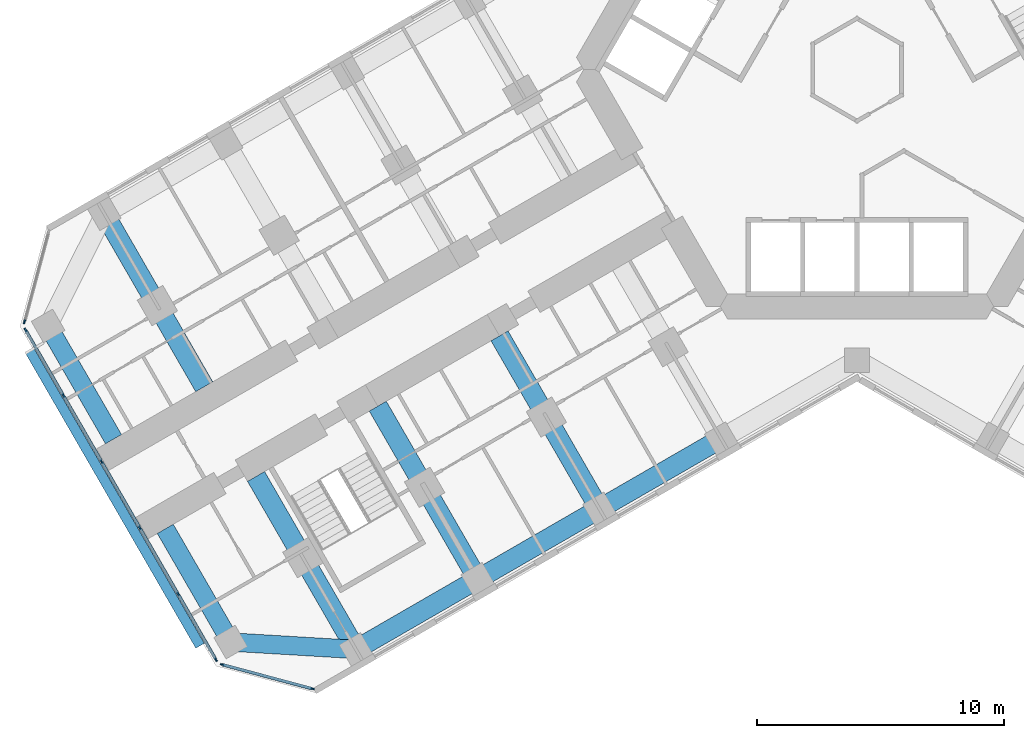
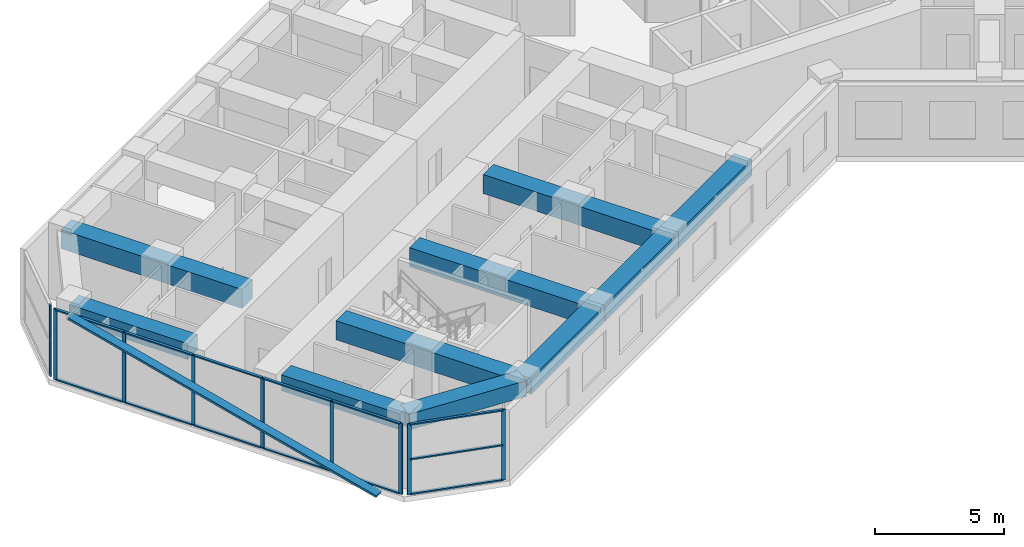
# One storey, part 2 of 21: 23 members, 10 beams, 3 elements without a shape of their own.
"""IFC4 building model written with IfcOpenShell, lengths in metres."""

from ifc_helpers import new_model, si_unit, direction, frame, origin, origin_2d, place, context, subcontext, project, spatial, rectangle, extrude, material, material_profile, profile_set, type_object, element, aggregate, save


model = new_model("IFC4")

# Units and contexts
model_context = context("Model", 3, precision=1e-05, world=origin(), true_north=direction((0.0, 1.0)))
body_context = subcontext(model_context, "Body", "Model", "MODEL_VIEW")
ifc_project = project(units=[si_unit("LENGTHUNIT", "METRE"), si_unit("AREAUNIT", "SQUARE_METRE"), si_unit("VOLUMEUNIT", "CUBIC_METRE"), si_unit("PLANEANGLEUNIT", "RADIAN"), si_unit("MASSUNIT", "GRAM", prefix="KILO")], contexts=[model_context])

# Site, building, storey
site_placement = place(None, origin())
site = spatial("IfcSite", under=ifc_project, at=site_placement, CompositionType="ELEMENT")
building_placement = place(site_placement, origin())
building = spatial("IfcBuilding", under=site, at=building_placement, Name="Kosmar Iwan School Tower", CompositionType="ELEMENT")
storey_placement = place(building_placement, frame((0.0, 0.0, 71.800048828125)))
storey = spatial("IfcBuildingStorey", under=building, at=storey_placement, Name="L17", CompositionType="ELEMENT", Elevation=71.800048828125)

# Member
ifc_material_1 = material(Name="Black anodised aluminium", Category="aluminium")
ifc_material_profile_1 = material_profile(ifc_material_1, rectangle(XDim=0.10009765625, YDim=0.39990234375, at=origin_2d()), Name="FIN 100x400")
ifc_profile_set_1 = profile_set([ifc_material_profile_1], Name="Black anodised aluminium")
member_type_1 = type_object("IfcMemberType", Name="Diagonal fin 100x400", PredefinedType="USERDEFINED", material=ifc_profile_set_1)
member_1_placement = place(storey_placement, frame((-26.645263671875, -23.34912109375, -0.150146484375), z_axis=(-0.483793446988, 0.837970316603, 0.25248692866), x_axis=(0.126241714543, -0.218661104574, 0.96760030532)))
element("IfcMember", 1, at=member_1_placement, inside=storey, type_object=member_type_1, Name="Diagonal fin L17-F13", ObjectType="FIN", PredefinedType="USERDEFINED", context=body_context, shape_type="SweptSolid", body=[
    extrude(rectangle(XDim=0.10009765625, YDim=0.39990234375, at=origin_2d()), origin(), (0.0, 0.0, 1.0), 14.258544921875),
])

# Curtain wall, member
ifc_material_2 = material(Name="Dark glass in black aluminium frame", Category="aluminium")
curtain_wall_type_1 = type_object("IfcCurtainWallType", Name="Chamfer curtain wall dark glass", PredefinedType="USERDEFINED", material=ifc_material_2)
curtain_wall_1_placement = place(storey_placement, origin())
curtain_wall_1 = element("IfcCurtainWall", 2, at=curtain_wall_1_placement, inside=storey, type_object=curtain_wall_type_1, Name="Curtain wall L17-F12", ObjectType="FACETED CURTAIN WALL", PredefinedType="USERDEFINED")
ifc_material_3 = material(Name="Black anodised aluminium", Category="aluminium")
ifc_material_profile_2 = material_profile(ifc_material_3, rectangle(XDim=0.06005859375, YDim=0.159912109375, at=origin_2d()), Name="MULLION 60x160")
ifc_profile_set_2 = profile_set([ifc_material_profile_2], Name="Black anodised aluminium")
member_type_2 = type_object("IfcMemberType", Name="Mullion 60x160", PredefinedType="MULLION", material=ifc_profile_set_2)
member_2_placement = place(storey_placement, frame((-33.7587890625, -10.2236328125, 0.0), z_axis=(0.0, 0.0, 1.0), x_axis=(0.965925875495, -0.258818861462, 0.0)))
member_2 = element("IfcMember", 3, at=member_2_placement, type_object=member_type_2, Name="CW2 mullion 2", PredefinedType="MULLION", context=body_context, shape_type="SweptSolid", body=[
    extrude(rectangle(XDim=0.06005859375, YDim=0.159912109375, at=origin_2d()), origin(), (0.0, 0.0, 1.0), 3.349853515625),
])
aggregate(curtain_wall_1, [member_2])

# Curtain wall, members
ifc_material_4 = material(Name="Dark glass in black aluminium frame", Category="aluminium")
curtain_wall_type_2 = type_object("IfcCurtainWallType", Name="Tower curtain wall dark glass", PredefinedType="USERDEFINED", material=ifc_material_4)
curtain_wall_2_placement = place(storey_placement, origin())
curtain_wall_2 = element("IfcCurtainWall", 4, at=curtain_wall_2_placement, inside=storey, type_object=curtain_wall_type_2, Name="Curtain wall L17-F13", ObjectType="UNITISED CURTAIN WALL", PredefinedType="USERDEFINED")
member_3_placement = place(storey_placement, frame((-33.71533203125, -10.55322265625, 0.0), z_axis=(0.0, 0.0, 1.0), x_axis=(0.866025405329, 0.499999997325, 0.0)))
member_3 = element("IfcMember", 5, at=member_3_placement, type_object=member_type_2, Name="CW1 mullion 1", PredefinedType="MULLION", context=body_context, shape_type="SweptSolid", body=[
    extrude(rectangle(XDim=0.06005859375, YDim=0.159912109375, at=origin_2d()), origin(), (0.0, 0.0, 1.0), 3.349853515625),
])
member_4_placement = place(storey_placement, frame((-32.1806640625, -13.21142578125, 0.0), z_axis=(0.0, 0.0, 1.0), x_axis=(0.866025405329, 0.499999997325, 0.0)))
member_4 = element("IfcMember", 6, at=member_4_placement, type_object=member_type_2, Name="CW1 mullion 2", PredefinedType="MULLION", context=body_context, shape_type="SweptSolid", body=[
    extrude(rectangle(XDim=0.06005859375, YDim=0.159912109375, at=origin_2d()), origin(), (0.0, 0.0, 1.0), 3.349853515625),
])
member_5_placement = place(storey_placement, frame((-30.631103515625, -15.8955078125, 0.0), z_axis=(0.0, 0.0, 1.0), x_axis=(0.866025405329, 0.499999997325, 0.0)))
member_5 = element("IfcMember", 7, at=member_5_placement, type_object=member_type_2, Name="CW1 mullion 3", PredefinedType="MULLION", context=body_context, shape_type="SweptSolid", body=[
    extrude(rectangle(XDim=0.06005859375, YDim=0.159912109375, at=origin_2d()), origin(), (0.0, 0.0, 1.0), 3.349853515625),
])
member_6_placement = place(storey_placement, frame((-29.081298828125, -18.57958984375, 0.0), z_axis=(0.0, 0.0, 1.0), x_axis=(0.866025405329, 0.499999997325, 0.0)))
member_6 = element("IfcMember", 8, at=member_6_placement, type_object=member_type_2, Name="CW1 mullion 4", PredefinedType="MULLION", context=body_context, shape_type="SweptSolid", body=[
    extrude(rectangle(XDim=0.06005859375, YDim=0.159912109375, at=origin_2d()), origin(), (0.0, 0.0, 1.0), 3.349853515625),
])
member_7_placement = place(storey_placement, frame((-27.53173828125, -21.263671875, 0.0), z_axis=(0.0, 0.0, 1.0), x_axis=(0.866025405329, 0.499999997325, 0.0)))
member_7 = element("IfcMember", 9, at=member_7_placement, type_object=member_type_2, Name="CW1 mullion 5", PredefinedType="MULLION", context=body_context, shape_type="SweptSolid", body=[
    extrude(rectangle(XDim=0.06005859375, YDim=0.159912109375, at=origin_2d()), origin(), (0.0, 0.0, 1.0), 3.349853515625),
])
member_8_placement = place(storey_placement, frame((-25.9970703125, -23.921630859375, 0.0), z_axis=(0.0, 0.0, 1.0), x_axis=(0.866025405329, 0.499999997325, 0.0)))
member_8 = element("IfcMember", 10, at=member_8_placement, type_object=member_type_2, Name="CW1 mullion 6", PredefinedType="MULLION", context=body_context, shape_type="SweptSolid", body=[
    extrude(rectangle(XDim=0.06005859375, YDim=0.159912109375, at=origin_2d()), origin(), (0.0, 0.0, 1.0), 3.349853515625),
])

curtain_wall_3_placement = place(storey_placement, origin())
curtain_wall_3 = element("IfcCurtainWall", 11, at=curtain_wall_3_placement, inside=storey, type_object=curtain_wall_type_1, Name="Curtain wall L17-F14", ObjectType="FACETED CURTAIN WALL", PredefinedType="USERDEFINED")
member_9_placement = place(storey_placement, frame((-25.733154296875, -24.124267578125, 0.0), z_axis=(0.0, 0.0, 1.0), x_axis=(0.258818861462, 0.965925875495, 0.0)))
member_9 = element("IfcMember", 12, at=member_9_placement, type_object=member_type_2, Name="CW2 mullion 1", PredefinedType="MULLION", context=body_context, shape_type="SweptSolid", body=[
    extrude(rectangle(XDim=0.06005859375, YDim=0.159912109375, at=origin_2d()), origin(), (0.0, 0.0, 1.0), 3.349853515625),
])
member_10_placement = place(storey_placement, frame((-22.0830078125, -25.102294921875, 0.0), z_axis=(0.0, 0.0, 1.0), x_axis=(0.258818861462, 0.965925875495, 0.0)))
member_10 = element("IfcMember", 13, at=member_10_placement, type_object=member_type_2, Name="CW2 mullion 2", PredefinedType="MULLION", context=body_context, shape_type="SweptSolid", body=[
    extrude(rectangle(XDim=0.06005859375, YDim=0.159912109375, at=origin_2d()), origin(), (0.0, 0.0, 1.0), 3.349853515625),
])

# Beams
ifc_material_5 = material(Name="Concrete C50/60", Category="concrete")
ifc_material_profile_3 = material_profile(ifc_material_5, rectangle(XDim=0.800048828125, YDim=0.75, at=origin_2d()), Name="RC 800x750")
ifc_profile_set_3 = profile_set([ifc_material_profile_3], Name="Concrete C50/60")
beam_type_1 = type_object("IfcBeamType", Name="RC edge beam 800x750", PredefinedType="BEAM", material=ifc_profile_set_3)
beam_1_placement = place(storey_placement, frame((-5.5087890625, -14.95849609375, 2.974853515625), z_axis=(-0.866033658841, -0.49998570155, 0.0), x_axis=(0.49998570155, -0.866033658841, 0.0)))
element("IfcBeam", 14, at=beam_1_placement, inside=storey, type_object=beam_type_1, Name="Edge beam BL2", PredefinedType="BEAM", context=body_context, shape_type="SweptSolid", body=[
    extrude(rectangle(XDim=0.800048828125, YDim=0.75, at=origin_2d()), origin(), (0.0, 0.0, 1.0), 5.699951171875),
])
beam_2_placement = place(storey_placement, frame((-10.445068359375, -17.808349609375, 2.974853515625), z_axis=(-0.866025820012, -0.499999279071, 0.0), x_axis=(0.499999279071, -0.866025820012, 0.0)))
element("IfcBeam", 15, at=beam_2_placement, inside=storey, type_object=beam_type_1, Name="Edge beam BL3", PredefinedType="BEAM", context=body_context, shape_type="SweptSolid", body=[
    extrude(rectangle(XDim=0.800048828125, YDim=0.75, at=origin_2d()), origin(), (0.0, 0.0, 1.0), 5.7001953125),
])
beam_3_placement = place(storey_placement, frame((-15.381591796875, -20.658447265625, 2.974853515625), z_axis=(-0.866015111908, -0.50001782563, 0.0), x_axis=(0.50001782563, -0.866015111908, 0.0)))
element("IfcBeam", 16, at=beam_3_placement, inside=storey, type_object=beam_type_1, Name="Edge beam BL4", PredefinedType="BEAM", context=body_context, shape_type="SweptSolid", body=[
    extrude(rectangle(XDim=0.800048828125, YDim=0.75, at=origin_2d()), origin(), (0.0, 0.0, 1.0), 5.699951171875),
])
ifc_material_6 = material(Name="Concrete C50/60", Category="concrete")
ifc_material_profile_4 = material_profile(ifc_material_6, rectangle(XDim=0.75, YDim=0.75, at=origin_2d()), Name="RC 750x750")
ifc_profile_set_4 = profile_set([ifc_material_profile_4], Name="Concrete C50/60")
beam_type_2 = type_object("IfcBeamType", Name="RC tip beam 750x750", PredefinedType="BEAM", material=ifc_profile_set_4)
beam_4_placement = place(storey_placement, frame((-20.31787109375, -23.508544921875, 2.974853515625), z_axis=(-0.998260616478, 0.058955420358, 0.0), x_axis=(-0.058955420358, -0.998260616478, 0.0)))
element("IfcBeam", 17, at=beam_4_placement, inside=storey, type_object=beam_type_2, Name="Tip beam BL", PredefinedType="BEAM", context=body_context, shape_type="SweptSolid", body=[
    extrude(rectangle(XDim=0.75, YDim=0.75, at=origin_2d()), origin(), (0.0, 0.0, 1.0), 5.08935546875),
])
beam_5_placement = place(storey_placement, frame((-25.3984375, -23.20849609375, 2.974853515625), z_axis=(-0.499993606316, 0.866029095148, 0.0), x_axis=(-0.866029095148, -0.499993606316, 0.0)))
element("IfcBeam", 18, at=beam_5_placement, inside=storey, type_object=beam_type_2, Name="Tip beam BL to corridor wall", PredefinedType="BEAM", context=body_context, shape_type="SweptSolid", body=[
    extrude(rectangle(XDim=0.75, YDim=0.75, at=origin_2d()), origin(), (0.0, 0.0, 1.0), 5.2998046875),
])
beam_6_placement = place(storey_placement, frame((-32.79833984375, -10.391357421875, 2.974853515625), z_axis=(0.499973660256, -0.866040610509, 0.0), x_axis=(0.866040610509, 0.499973660256, 0.0)))
element("IfcBeam", 19, at=beam_6_placement, inside=storey, type_object=beam_type_2, Name="Tip beam BR to corridor wall", PredefinedType="BEAM", context=body_context, shape_type="SweptSolid", body=[
    extrude(rectangle(XDim=0.75, YDim=0.75, at=origin_2d()), origin(), (0.0, 0.0, 1.0), 5.300048828125),
])
ifc_material_7 = material(Name="Concrete C50/60", Category="concrete")
ifc_material_profile_5 = material_profile(ifc_material_7, rectangle(XDim=0.800048828125, YDim=0.89990234375, at=origin_2d()), Name="RC 800x900")
ifc_profile_set_5 = profile_set([ifc_material_profile_5], Name="Concrete C50/60")
beam_type_3 = type_object("IfcBeamType", Name="RC transverse beam 800x900", PredefinedType="BEAM", material=ifc_profile_set_5)
beam_7_placement = place(storey_placement, frame((-10.445068359375, -17.808349609375, 2.89990234375), z_axis=(-0.500012932018, 0.866017937352, 0.0), x_axis=(-0.866017937352, -0.500012932018, 0.0)))
element("IfcBeam", 20, at=beam_7_placement, inside=storey, type_object=beam_type_3, Name="Transverse beam BL2", PredefinedType="BEAM", context=body_context, shape_type="SweptSolid", body=[
    extrude(rectangle(XDim=0.800048828125, YDim=0.89990234375, at=origin_2d()), origin(), (0.0, 0.0, 1.0), 8.099853515625),
])
for number, where, z_axis, x_axis, name in (
    (21, (-15.381591796875, -20.658447265625, 2.89990234375), (-0.499977274689, 0.866038523851, 0.0), (-0.866038523851, -0.499977274689, 0.0), "Transverse beam BL3"),
    (22, (-20.31787109375, -23.508544921875, 2.89990234375), (-0.499999880539, 0.866025472755, 0.0), (-0.866025472755, -0.499999880539, 0.0), "Transverse beam BL4"),
    (23, (-30.517822265625, -5.841552734375, 2.89990234375), (0.499999880539, -0.866025472755, 0.0), (0.866025472755, 0.499999880539, 0.0), "Transverse beam BR4"),
):
    element("IfcBeam", number, at=place(storey_placement, frame(where, z_axis=z_axis, x_axis=x_axis)), inside=storey, type_object=beam_type_3, Name=name, PredefinedType="BEAM", context=body_context, shape_type="SweptSolid", body=[
        extrude(rectangle(XDim=0.800048828125, YDim=0.89990234375, at=origin_2d()), origin(), (0.0, 0.0, 1.0), 8.10009765625),
    ])

# Member
ifc_material_8 = material(Name="Black anodised aluminium", Category="aluminium")
ifc_material_profile_6 = material_profile(ifc_material_8, rectangle(XDim=0.1201171875, YDim=0.06005859375, at=origin_2d()), Name="TRANSOM 60x120")
ifc_profile_set_6 = profile_set([ifc_material_profile_6], Name="Black anodised aluminium")
member_type_3 = type_object("IfcMemberType", Name="Transom 60x120", PredefinedType="USERDEFINED", material=ifc_profile_set_6)
member_11_placement = place(storey_placement, frame((-33.700439453125, -10.579345703125, 0.030029296875), z_axis=(0.500022102064, -0.866012642776, 0.0), x_axis=(0.866012642776, 0.500022102064, 0.0)))
member_11 = element("IfcMember", 24, at=member_11_placement, type_object=member_type_3, Name="CW1 transom 1.1", ObjectType="TRANSOM", PredefinedType="USERDEFINED", context=body_context, shape_type="SweptSolid", body=[
    extrude(rectangle(XDim=0.1201171875, YDim=0.06005859375, at=origin_2d()), origin(), (0.0, 0.0, 1.0), 3.009033203125),
])

member_12_placement = place(storey_placement, frame((-33.700439453125, -10.579345703125, 3.320068359375), z_axis=(0.500022102064, -0.866012642776, 0.0), x_axis=(0.866012642776, 0.500022102064, 0.0)))
member_12 = element("IfcMember", 25, at=member_12_placement, type_object=member_type_3, Name="CW1 transom 1.2", ObjectType="TRANSOM", PredefinedType="USERDEFINED", context=body_context, shape_type="SweptSolid", body=[
    extrude(rectangle(XDim=0.1201171875, YDim=0.06005859375, at=origin_2d()), origin(), (0.0, 0.0, 1.0), 3.009033203125),
])

member_13_placement = place(storey_placement, frame((-32.165771484375, -13.2373046875, 0.030029296875), z_axis=(0.500035348339, -0.866004994449, 0.0), x_axis=(0.866004994449, 0.500035348339, 0.0)))
member_13 = element("IfcMember", 26, at=member_13_placement, type_object=member_type_3, Name="CW1 transom 2.1", ObjectType="TRANSOM", PredefinedType="USERDEFINED", context=body_context, shape_type="SweptSolid", body=[
    extrude(rectangle(XDim=0.1201171875, YDim=0.06005859375, at=origin_2d()), origin(), (0.0, 0.0, 1.0), 3.039306640625),
])

member_14_placement = place(storey_placement, frame((-32.165771484375, -13.2373046875, 3.320068359375), z_axis=(0.500035348339, -0.866004994449, 0.0), x_axis=(0.866004994449, 0.500035348339, 0.0)))
member_14 = element("IfcMember", 27, at=member_14_placement, type_object=member_type_3, Name="CW1 transom 2.2", ObjectType="TRANSOM", PredefinedType="USERDEFINED", context=body_context, shape_type="SweptSolid", body=[
    extrude(rectangle(XDim=0.1201171875, YDim=0.06005859375, at=origin_2d()), origin(), (0.0, 0.0, 1.0), 3.039306640625),
])

member_15_placement = place(storey_placement, frame((-30.615966796875, -15.92138671875, 0.030029296875), z_axis=(0.499975102327, -0.866039777986, 0.0), x_axis=(0.866039777986, 0.499975102327, 0.0)))
member_15 = element("IfcMember", 28, at=member_15_placement, type_object=member_type_3, Name="CW1 transom 3.1", ObjectType="TRANSOM", PredefinedType="USERDEFINED", context=body_context, shape_type="SweptSolid", body=[
    extrude(rectangle(XDim=0.1201171875, YDim=0.06005859375, at=origin_2d()), origin(), (0.0, 0.0, 1.0), 3.039306640625),
])

member_16_placement = place(storey_placement, frame((-30.615966796875, -15.92138671875, 3.320068359375), z_axis=(0.499975102327, -0.866039777986, 0.0), x_axis=(0.866039777986, 0.499975102327, 0.0)))
member_16 = element("IfcMember", 29, at=member_16_placement, type_object=member_type_3, Name="CW1 transom 3.2", ObjectType="TRANSOM", PredefinedType="USERDEFINED", context=body_context, shape_type="SweptSolid", body=[
    extrude(rectangle(XDim=0.1201171875, YDim=0.06005859375, at=origin_2d()), origin(), (0.0, 0.0, 1.0), 3.039306640625),
])

member_17_placement = place(storey_placement, frame((-29.06640625, -18.60546875, 0.030029296875), z_axis=(0.499975102327, -0.866039777986, 0.0), x_axis=(0.866039777986, 0.499975102327, 0.0)))
member_17 = element("IfcMember", 30, at=member_17_placement, type_object=member_type_3, Name="CW1 transom 4.1", ObjectType="TRANSOM", PredefinedType="USERDEFINED", context=body_context, shape_type="SweptSolid", body=[
    extrude(rectangle(XDim=0.1201171875, YDim=0.06005859375, at=origin_2d()), origin(), (0.0, 0.0, 1.0), 3.039306640625),
])

member_18_placement = place(storey_placement, frame((-29.06640625, -18.60546875, 3.320068359375), z_axis=(0.499975102327, -0.866039777986, 0.0), x_axis=(0.866039777986, 0.499975102327, 0.0)))
member_18 = element("IfcMember", 31, at=member_18_placement, type_object=member_type_3, Name="CW1 transom 4.2", ObjectType="TRANSOM", PredefinedType="USERDEFINED", context=body_context, shape_type="SweptSolid", body=[
    extrude(rectangle(XDim=0.1201171875, YDim=0.06005859375, at=origin_2d()), origin(), (0.0, 0.0, 1.0), 3.039306640625),
])

member_19_placement = place(storey_placement, frame((-27.516845703125, -21.28955078125, 0.030029296875), z_axis=(0.499986971506, -0.866032925658, 0.0), x_axis=(0.866032925658, 0.499986971506, 0.0)))
member_19 = element("IfcMember", 32, at=member_19_placement, type_object=member_type_3, Name="CW1 transom 5.1", ObjectType="TRANSOM", PredefinedType="USERDEFINED", context=body_context, shape_type="SweptSolid", body=[
    extrude(rectangle(XDim=0.1201171875, YDim=0.06005859375, at=origin_2d()), origin(), (0.0, 0.0, 1.0), 3.00927734375),
])

member_20_placement = place(storey_placement, frame((-27.516845703125, -21.28955078125, 3.320068359375), z_axis=(0.499986971506, -0.866032925658, 0.0), x_axis=(0.866032925658, 0.499986971506, 0.0)))
member_20 = element("IfcMember", 33, at=member_20_placement, type_object=member_type_3, Name="CW1 transom 5.2", ObjectType="TRANSOM", PredefinedType="USERDEFINED", context=body_context, shape_type="SweptSolid", body=[
    extrude(rectangle(XDim=0.1201171875, YDim=0.06005859375, at=origin_2d()), origin(), (0.0, 0.0, 1.0), 3.00927734375),
])

aggregate(curtain_wall_2, [member_3, member_4, member_5, member_6, member_7, member_8, member_11, member_12, member_13, member_14, member_15, member_16, member_17, member_18, member_19, member_20])

member_21_placement = place(storey_placement, frame((-25.704345703125, -24.1318359375, 0.030029296875), z_axis=(0.965923731726, -0.258826861991, 0.0), x_axis=(0.258826861991, 0.965923731726, 0.0)))
member_21 = element("IfcMember", 34, at=member_21_placement, type_object=member_type_3, Name="CW2 transom 1.1", ObjectType="TRANSOM", PredefinedType="USERDEFINED", context=body_context, shape_type="SweptSolid", body=[
    extrude(rectangle(XDim=0.1201171875, YDim=0.06005859375, at=origin_2d()), origin(), (0.0, 0.0, 1.0), 3.71923828125),
])

member_22_placement = place(storey_placement, frame((-25.704345703125, -24.1318359375, 1.675048828125), z_axis=(0.965923731726, -0.258826861991, 0.0), x_axis=(0.258826861991, 0.965923731726, 0.0)))
member_22 = element("IfcMember", 35, at=member_22_placement, type_object=member_type_3, Name="CW2 transom 1.2", ObjectType="TRANSOM", PredefinedType="USERDEFINED", context=body_context, shape_type="SweptSolid", body=[
    extrude(rectangle(XDim=0.1201171875, YDim=0.06005859375, at=origin_2d()), origin(), (0.0, 0.0, 1.0), 3.71923828125),
])

member_23_placement = place(storey_placement, frame((-25.704345703125, -24.1318359375, 3.320068359375), z_axis=(0.965923731726, -0.258826861991, 0.0), x_axis=(0.258826861991, 0.965923731726, 0.0)))
member_23 = element("IfcMember", 36, at=member_23_placement, type_object=member_type_3, Name="CW2 transom 1.3", ObjectType="TRANSOM", PredefinedType="USERDEFINED", context=body_context, shape_type="SweptSolid", body=[
    extrude(rectangle(XDim=0.1201171875, YDim=0.06005859375, at=origin_2d()), origin(), (0.0, 0.0, 1.0), 3.71923828125),
])

aggregate(curtain_wall_3, [member_9, member_10, member_21, member_22, member_23])

save(model, "model.ifc")
